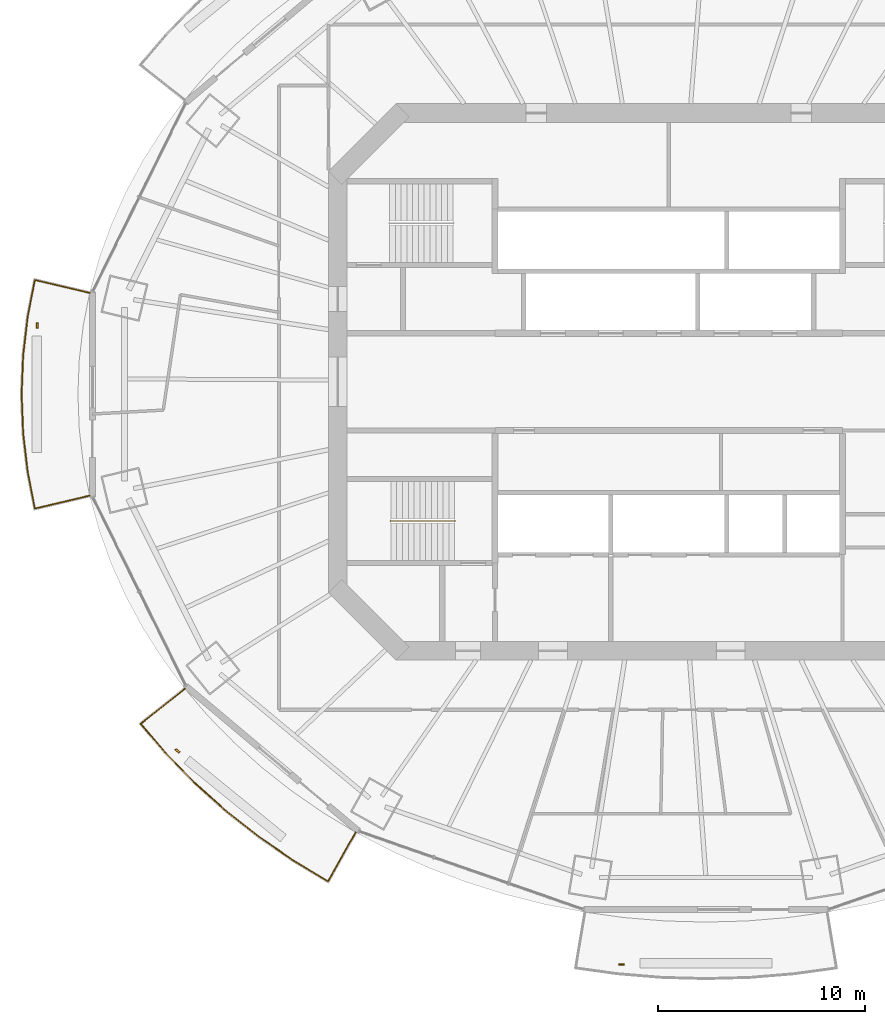
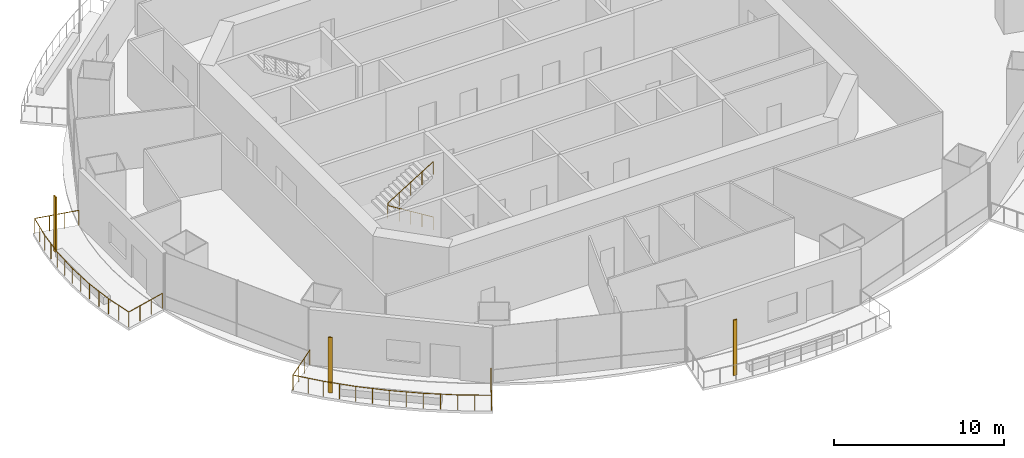
# One storey, part 14 of 19: 3 railings, 3 shading devices.
"""IFC4 building model written with IfcOpenShell, lengths in metres."""

from ifc_helpers import new_model, si_unit, direction, frame, origin, origin_2d, place, context, subcontext, project, spatial, rectangle, circle, extrude, material, material_profile, profile_set, type_object, element, save


model = new_model("IFC4")

# Units and contexts
model_context = context("Model", 3, precision=1e-05, world=origin(), true_north=direction((0.0, 1.0)))
body_context = subcontext(model_context, "Body", "Model", "MODEL_VIEW")
ifc_project = project(units=[si_unit("LENGTHUNIT", "METRE"), si_unit("AREAUNIT", "SQUARE_METRE"), si_unit("VOLUMEUNIT", "CUBIC_METRE"), si_unit("PLANEANGLEUNIT", "RADIAN"), si_unit("MASSUNIT", "GRAM", prefix="KILO")], contexts=[model_context])

# Site, building, storey
site_placement = place(None, origin())
site = spatial("IfcSite", under=ifc_project, at=site_placement, CompositionType="ELEMENT")
building_placement = place(site_placement, origin())
building = spatial("IfcBuilding", under=site, at=building_placement, Name="Marenthal Gate Tower", CompositionType="ELEMENT")
storey_placement = place(building_placement, frame((0.0, 0.0, 235.75)))
storey = spatial("IfcBuildingStorey", under=building, at=storey_placement, Name="L52", CompositionType="ELEMENT", Elevation=235.75)

# Railings
ifc_material_1 = material(Name="Stainless steel", Category="steel")
railing_type_1 = type_object("IfcRailingType", Name="Balcony guard 1100", PredefinedType="GUARDRAIL", material=ifc_material_1)
railing_1_placement = place(storey_placement, frame((-28.0, -5.500732421875, 0.0)))
element("IfcRailing", 1, at=railing_1_placement, inside=storey, type_object=railing_type_1, Name="Balcony guard L52 bay 8", PredefinedType="GUARDRAIL", context=body_context, shape_type="SweptSolid", body=[
    extrude(circle(Radius=0.02392578125, at=origin_2d()), frame((0.0, 0.0, 1.076171875), z_axis=(-0.973072245699, -0.230029899071, -0.014719041532), x_axis=(0.23005482113, -0.97317767097, 0.0)), (0.0, 0.0, 1.0), 2.72021484375),
    extrude(circle(Radius=0.02392578125, at=origin_2d()), frame((-2.64697265625, -0.625732421875, 1.0361328125), z_axis=(-0.191050348988, 0.981580238265, 0.0), x_axis=(-0.981580238265, -0.191050348988, 0.0)), (0.0, 0.0, 1.0), 1.80810546875),
    extrude(circle(Radius=0.02392578125, at=origin_2d()), frame((-2.992431640625, 1.149169921875, 1.0361328125), z_axis=(-0.116360074506, 0.99320709475, 0.0), x_axis=(-0.99320709475, -0.116360074506, 0.0)), (0.0, 0.0, 1.0), 1.884033203125),
    extrude(circle(Radius=0.02392578125, at=origin_2d()), frame((-3.211669921875, 3.0205078125, 1.0361328125), z_axis=(-0.038926454163, 0.999242078361, 0.0), x_axis=(-0.999242078361, -0.038926454163, 0.0)), (0.0, 0.0, 1.0), 1.881591796875),
    extrude(circle(Radius=0.02392578125, at=origin_2d()), frame((-3.284912109375, 4.900634765625, 1.0361328125), z_axis=(0.038921407749, 0.999242274936, 0.0), x_axis=(-0.999242274936, 0.038921407749, 0.0)), (0.0, 0.0, 1.0), 1.8818359375),
    extrude(circle(Radius=0.02392578125, at=origin_2d()), frame((-3.211669921875, 6.781005859375, 1.0361328125), z_axis=(0.116375051579, 0.993205339983, 0.0), x_axis=(-0.993205339983, 0.116375051579, 0.0)), (0.0, 0.0, 1.0), 1.8837890625),
    extrude(circle(Radius=0.02392578125, at=origin_2d()), frame((-2.992431640625, 8.652099609375, 1.0361328125), z_axis=(0.191025032202, 0.981585165471, 0.0), x_axis=(-0.981585165471, 0.191025032202, 0.0)), (0.0, 0.0, 1.0), 1.808349609375),
    extrude(circle(Radius=0.02392578125, at=origin_2d()), frame((-2.64697265625, 10.42724609375, 1.0361328125), z_axis=(0.973052153091, -0.230114897669, 0.014718737604), x_axis=(0.230139827907, 0.97315757183, 0.0)), (0.0, 0.0, 1.0), 2.72021484375),
    extrude(circle(Radius=0.02099609375, at=origin_2d()), origin(), (0.0, 0.0, 1.0), 1.052001953125),
    extrude(circle(Radius=0.02099609375, at=origin_2d()), frame((-0.88232421875, -0.20849609375, -0.013427734375)), (0.0, 0.0, 1.0), 1.052001953125),
    extrude(circle(Radius=0.02099609375, at=origin_2d()), frame((-1.7646484375, -0.417236328125, -0.026611328125)), (0.0, 0.0, 1.0), 1.052001953125),
    extrude(circle(Radius=0.02099609375, at=origin_2d()), frame((-2.64697265625, -0.625732421875, -0.0400390625)), (0.0, 0.0, 1.0), 1.052001953125),
    extrude(circle(Radius=0.02099609375, at=origin_2d()), frame((-2.81982421875, 0.26171875, -0.0400390625)), (0.0, 0.0, 1.0), 1.052001953125),
    extrude(circle(Radius=0.02099609375, at=origin_2d()), frame((-2.992431640625, 1.149169921875, -0.0400390625)), (0.0, 0.0, 1.0), 1.052001953125),
    extrude(circle(Radius=0.02099609375, at=origin_2d()), frame((-3.10205078125, 2.0849609375, -0.0400390625)), (0.0, 0.0, 1.0), 1.052001953125),
    extrude(circle(Radius=0.02099609375, at=origin_2d()), frame((-3.211669921875, 3.0205078125, -0.0400390625)), (0.0, 0.0, 1.0), 1.052001953125),
    extrude(circle(Radius=0.02099609375, at=origin_2d()), frame((-3.248291015625, 3.96044921875, -0.0400390625)), (0.0, 0.0, 1.0), 1.052001953125),
    extrude(circle(Radius=0.02099609375, at=origin_2d()), frame((-3.284912109375, 4.900634765625, -0.0400390625)), (0.0, 0.0, 1.0), 1.052001953125),
    extrude(circle(Radius=0.02099609375, at=origin_2d()), frame((-3.248291015625, 5.8408203125, -0.0400390625)), (0.0, 0.0, 1.0), 1.052001953125),
    extrude(circle(Radius=0.02099609375, at=origin_2d()), frame((-3.211669921875, 6.781005859375, -0.0400390625)), (0.0, 0.0, 1.0), 1.052001953125),
    extrude(circle(Radius=0.02099609375, at=origin_2d()), frame((-3.10205078125, 7.716552734375, -0.0400390625)), (0.0, 0.0, 1.0), 1.052001953125),
    extrude(circle(Radius=0.02099609375, at=origin_2d()), frame((-2.992431640625, 8.652099609375, -0.0400390625)), (0.0, 0.0, 1.0), 1.052001953125),
    extrude(circle(Radius=0.02099609375, at=origin_2d()), frame((-2.81982421875, 9.53955078125, -0.0400390625)), (0.0, 0.0, 1.0), 1.052001953125),
    extrude(circle(Radius=0.02099609375, at=origin_2d()), frame((-2.64697265625, 10.42724609375, -0.0400390625)), (0.0, 0.0, 1.0), 1.052001953125),
    extrude(circle(Radius=0.02099609375, at=origin_2d()), frame((-1.7646484375, 10.218505859375, -0.026611328125)), (0.0, 0.0, 1.0), 1.052001953125),
    extrude(circle(Radius=0.02099609375, at=origin_2d()), frame((-0.88232421875, 10.010009765625, -0.013427734375)), (0.0, 0.0, 1.0), 1.052001953125),
    extrude(circle(Radius=0.02099609375, at=origin_2d()), frame((0.0, 9.80126953125, 0.0)), (0.0, 0.0, 1.0), 1.052001953125),
])
railing_2_placement = place(storey_placement, frame((-15.1396484375, -21.779052734375, 0.0)))
element("IfcRailing", 2, at=railing_2_placement, inside=storey, type_object=railing_type_1, Name="Balcony guard L52 bay 10", PredefinedType="GUARDRAIL", context=body_context, shape_type="SweptSolid", body=[
    extrude(circle(Radius=0.02392578125, at=origin_2d()), frame((0.0, 0.0, 1.076171875), z_axis=(-0.489897076955, -0.871656037455, -0.014717552779), x_axis=(0.871750455914, -0.489950142987, 0.0)), (0.0, 0.0, 1.0), 2.720458984375),
    extrude(circle(Radius=0.02392578125, at=origin_2d()), frame((-1.332763671875, -2.371337890625, 1.0361328125), z_axis=(-0.855948649987, 0.517060836445, 0.0), x_axis=(-0.517060836445, -0.855948649987, 0.0)), (0.0, 0.0, 1.0), 1.9716796875),
    extrude(circle(Radius=0.02392578125, at=origin_2d()), frame((-3.0205078125, -1.351806640625, 1.0361328125), z_axis=(-0.823162524927, 0.567805827335, 0.0), x_axis=(-0.567805827335, -0.823162524927, 0.0)), (0.0, 0.0, 1.0), 2.035400390625),
    extrude(circle(Radius=0.02392578125, at=origin_2d()), frame((-4.696044921875, -0.196044921875, 1.0361328125), z_axis=(-0.785764137511, 0.618526248595, 0.0), x_axis=(-0.618526248595, -0.785764137511, 0.0)), (0.0, 0.0, 1.0), 2.01904296875),
    extrude(circle(Radius=0.02392578125, at=origin_2d()), frame((-6.282470703125, 1.052734375, 1.0361328125), z_axis=(-0.744232960916, 0.66792012987, 0.0), x_axis=(-0.66792012987, -0.744232960916, 0.0)), (0.0, 0.0, 1.0), 2.002685546875),
    extrude(circle(Radius=0.02392578125, at=origin_2d()), frame((-7.77294921875, 2.390380859375, 1.0361328125), z_axis=(-0.698634154887, 0.715479082591, 0.0), x_axis=(-0.715479082591, -0.698634154887, 0.0)), (0.0, 0.0, 1.0), 1.985595703125),
    extrude(circle(Radius=0.02392578125, at=origin_2d()), frame((-9.16015625, 3.81103515625, 1.0361328125), z_axis=(-0.649843765812, 0.760067812787, 0.0), x_axis=(-0.760067812787, -0.649843765812, 0.0)), (0.0, 0.0, 1.0), 1.889404296875),
    extrude(circle(Radius=0.02392578125, at=origin_2d()), frame((-10.387939453125, 5.2470703125, 1.0361328125), z_axis=(0.782977160261, 0.621876288795, 0.014718965415), x_axis=(-0.621943663853, 0.783061989241, 0.0)), (0.0, 0.0, 1.0), 2.72021484375),
    extrude(circle(Radius=0.02099609375, at=origin_2d()), origin(), (0.0, 0.0, 1.0), 1.052001953125),
    extrude(circle(Radius=0.02099609375, at=origin_2d()), frame((-0.4443359375, -0.79052734375, -0.013427734375)), (0.0, 0.0, 1.0), 1.052001953125),
    extrude(circle(Radius=0.02099609375, at=origin_2d()), frame((-0.888427734375, -1.580810546875, -0.026611328125)), (0.0, 0.0, 1.0), 1.052001953125),
    extrude(circle(Radius=0.02099609375, at=origin_2d()), frame((-1.332763671875, -2.371337890625, -0.0400390625)), (0.0, 0.0, 1.0), 1.052001953125),
    extrude(circle(Radius=0.02099609375, at=origin_2d()), frame((-2.1767578125, -1.861572265625, -0.0400390625)), (0.0, 0.0, 1.0), 1.052001953125),
    extrude(circle(Radius=0.02099609375, at=origin_2d()), frame((-3.0205078125, -1.351806640625, -0.0400390625)), (0.0, 0.0, 1.0), 1.052001953125),
    extrude(circle(Radius=0.02099609375, at=origin_2d()), frame((-3.8583984375, -0.77392578125, -0.0400390625)), (0.0, 0.0, 1.0), 1.052001953125),
    extrude(circle(Radius=0.02099609375, at=origin_2d()), frame((-4.696044921875, -0.196044921875, -0.0400390625)), (0.0, 0.0, 1.0), 1.052001953125),
    extrude(circle(Radius=0.02099609375, at=origin_2d()), frame((-5.4892578125, 0.42822265625, -0.0400390625)), (0.0, 0.0, 1.0), 1.052001953125),
    extrude(circle(Radius=0.02099609375, at=origin_2d()), frame((-6.282470703125, 1.052734375, -0.0400390625)), (0.0, 0.0, 1.0), 1.052001953125),
    extrude(circle(Radius=0.02099609375, at=origin_2d()), frame((-7.02783203125, 1.7216796875, -0.0400390625)), (0.0, 0.0, 1.0), 1.052001953125),
    extrude(circle(Radius=0.02099609375, at=origin_2d()), frame((-7.77294921875, 2.390380859375, -0.0400390625)), (0.0, 0.0, 1.0), 1.052001953125),
    extrude(circle(Radius=0.02099609375, at=origin_2d()), frame((-8.466552734375, 3.1005859375, -0.0400390625)), (0.0, 0.0, 1.0), 1.052001953125),
    extrude(circle(Radius=0.02099609375, at=origin_2d()), frame((-9.16015625, 3.81103515625, -0.0400390625)), (0.0, 0.0, 1.0), 1.052001953125),
    extrude(circle(Radius=0.02099609375, at=origin_2d()), frame((-9.77392578125, 4.529052734375, -0.0400390625)), (0.0, 0.0, 1.0), 1.052001953125),
    extrude(circle(Radius=0.02099609375, at=origin_2d()), frame((-10.387939453125, 5.2470703125, -0.0400390625)), (0.0, 0.0, 1.0), 1.052001953125),
    extrude(circle(Radius=0.02099609375, at=origin_2d()), frame((-9.677978515625, 5.81103515625, -0.026611328125)), (0.0, 0.0, 1.0), 1.052001953125),
    extrude(circle(Radius=0.02099609375, at=origin_2d()), frame((-8.968017578125, 6.374755859375, -0.013427734375)), (0.0, 0.0, 1.0), 1.052001953125),
    extrude(circle(Radius=0.02099609375, at=origin_2d()), frame((-8.258056640625, 6.938720703125, 0.0)), (0.0, 0.0, 1.0), 1.052001953125),
])
ifc_material_2 = material(Name="Stainless steel", Category="steel")
railing_type_2 = type_object("IfcRailingType", Name="Stair handrail", PredefinedType="HANDRAIL", material=ifc_material_2)
railing_3_placement = place(storey_placement, frame((-10.35009765625, -6.72509765625, 0.1728515625)))
element("IfcRailing", 3, at=railing_3_placement, inside=storey, type_object=railing_type_2, Name="Handrail ST2", PredefinedType="HANDRAIL", context=body_context, shape_type="SweptSolid", body=[
    extrude(circle(Radius=0.0224609375, at=origin_2d()), frame((0.0, 0.0, 0.927490234375), z_axis=(-0.850816621229, 0.0, 0.525462726595), x_axis=(0.0, -1.0, 0.0)), (0.0, 0.0, 1.0), 3.619873046875),
    extrude(circle(Radius=0.0224609375, at=origin_2d()), frame((-3.079833984375, 0.0, 2.82958984375), z_axis=(0.0, 0.0, 1.0), x_axis=(1.0, 0.0, 0.0)), (0.0, 0.0, 1.0), 0.1728515625),
    extrude(circle(Radius=0.0224609375, at=origin_2d()), frame((-3.079833984375, 0.0, 3.00244140625), z_axis=(0.850816621229, 0.0, 0.525462726595), x_axis=(0.0, 1.0, 0.0)), (0.0, 0.0, 1.0), 3.619873046875),
    extrude(circle(Radius=0.02001953125, at=origin_2d()), origin(), (0.0, 0.0, 1.0), 0.905029296875),
    extrude(circle(Radius=0.02001953125, at=origin_2d()), frame((-0.77001953125, 0.0, 0.4755859375)), (0.0, 0.0, 1.0), 0.905029296875),
    extrude(circle(Radius=0.02001953125, at=origin_2d()), frame((-1.5400390625, 0.0, 0.951171875)), (0.0, 0.0, 1.0), 0.905029296875),
    extrude(circle(Radius=0.02001953125, at=origin_2d()), frame((-2.309814453125, 0.0, 1.426513671875)), (0.0, 0.0, 1.0), 0.905029296875),
    extrude(circle(Radius=0.02001953125, at=origin_2d()), frame((-3.079833984375, 0.0, 1.902099609375)), (0.0, 0.0, 1.0), 0.905029296875),
    extrude(circle(Radius=0.02001953125, at=origin_2d()), frame((-3.079833984375, 0.0, 2.074951171875)), (0.0, 0.0, 1.0), 0.905029296875),
    extrude(circle(Radius=0.02001953125, at=origin_2d()), frame((-2.309814453125, 0.0, 2.550537109375)), (0.0, 0.0, 1.0), 0.905029296875),
    extrude(circle(Radius=0.02001953125, at=origin_2d()), frame((-1.5400390625, 0.0, 3.02587890625)), (0.0, 0.0, 1.0), 0.905029296875),
    extrude(circle(Radius=0.02001953125, at=origin_2d()), frame((-0.77001953125, 0.0, 3.50146484375)), (0.0, 0.0, 1.0), 0.905029296875),
    extrude(circle(Radius=0.02001953125, at=origin_2d()), frame((0.0, 0.0, 3.97705078125)), (0.0, 0.0, 1.0), 0.905029296875),
])

# Shading devices
ifc_material_3 = material(Name="Terracotta", Category="masonry")
ifc_material_profile = material_profile(ifc_material_3, rectangle(XDim=0.25, YDim=0.080078125, at=origin_2d()), Name="Terracotta baguette 250x80")
ifc_profile_set = profile_set([ifc_material_profile], Name="Terracotta")
shading_device_type = type_object("IfcShadingDeviceType", Name="Terracotta BAGUETTE SCREEN 250x80", PredefinedType="USERDEFINED", material=ifc_profile_set)
for number, where, z_axis, x_axis, name in (
    (4, (-30.532958984375, 2.723388671875, -0.0400390625), (0.0, 0.0, 1.0), (0.0, -1.0, 0.0), "Terracotta BAGUETTE L52 bay 8L"),
    (5, (-23.75, -17.84375, -0.0400390625), (0.0, 0.0, 1.0), (0.765469470301, -0.643472213881, 0.0), "Terracotta BAGUETTE L52 bay 10L"),
    (6, (-2.28564453125, -28.1640625, -0.0400390625), (0.0, 0.0, 1.0), (1.0, 0.0, 0.0), "Terracotta BAGUETTE L52 bay 12L"),
):
    element("IfcShadingDevice", number, at=place(storey_placement, frame(where, z_axis=z_axis, x_axis=x_axis)), inside=storey, type_object=shading_device_type, Name=name, ObjectType="BAGUETTE SCREEN", PredefinedType="USERDEFINED", context=body_context, shape_type="SweptSolid", body=[
        extrude(rectangle(XDim=0.25, YDim=0.080078125, at=origin_2d()), origin(), (0.0, 0.0, 1.0), 3.969970703125),
    ])

save(model, "model.ifc")
